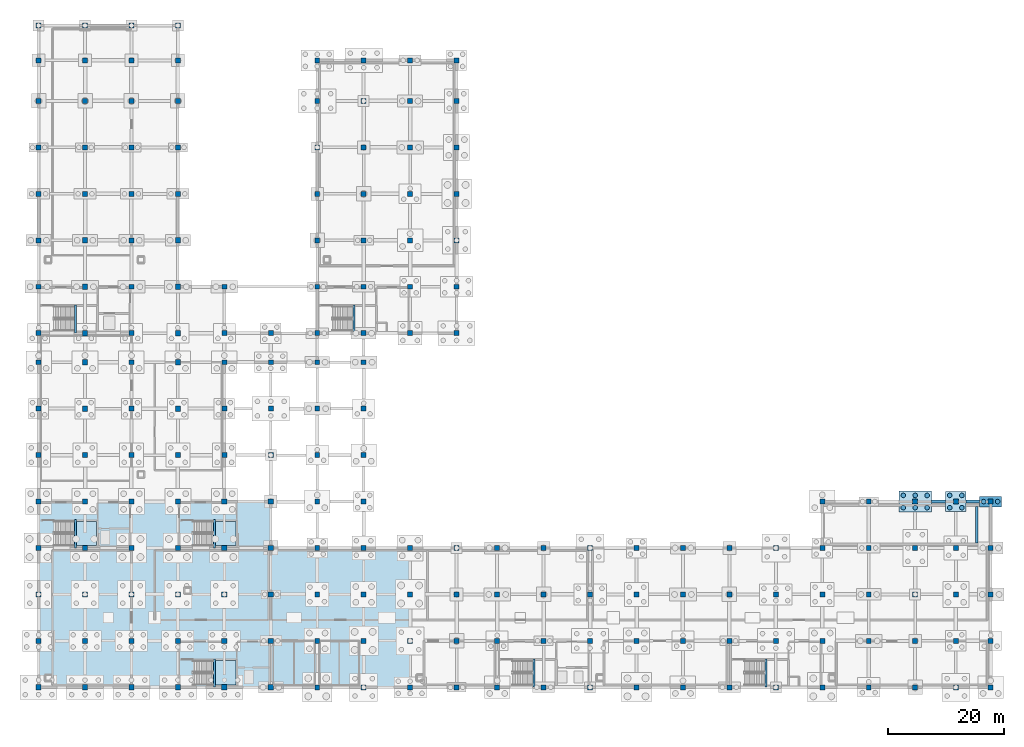
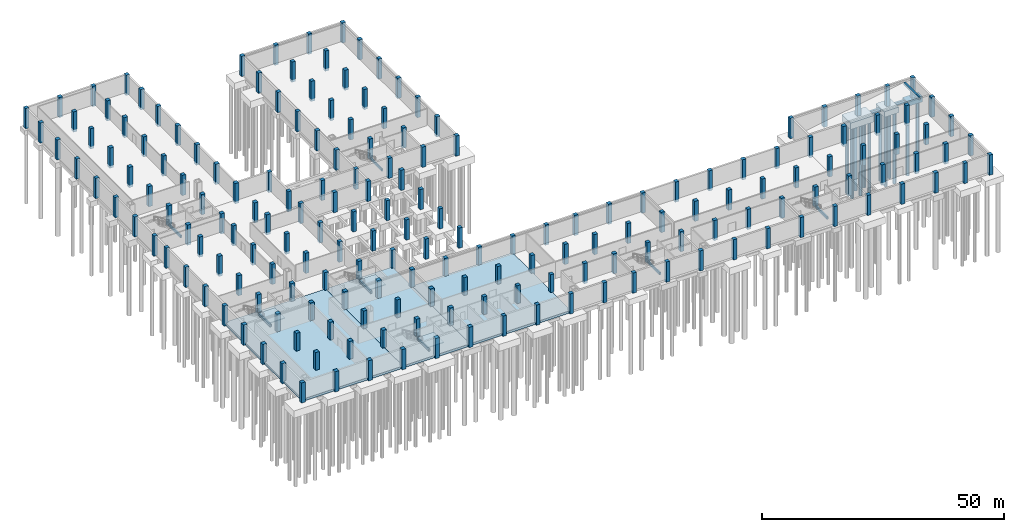
# One storey, part 10 of 26: 188 columns, 12 piles, 8 beams, 6 slabs, 5 footings, 3 elements without a shape of their own.
"""IFC4 building model written with IfcOpenShell, lengths in metres."""

import ifcopenshell
import ifcopenshell.guid

model = None  # the IFC model being written
_history = None  # IfcOwnerHistory: only IFC2X3 demands one
_inside = {}  # id of a spatial element -> (the spatial element, [elements in it])
_under = {}  # id of a project, library or spatial element -> (it, [spatial elements below it])
_declared = {}  # id of a project -> (the project, [libraries it declares])
_typed = {}  # id of a type object -> (the type object, [elements of that type])
_made_of = {}  # id of a material, layer set ... -> (it, [elements and type objects made of it])


def new_model(schema):
    """Start an empty IFC model of exactly this schema.

    Asked for "IFC4X3", IfcOpenShell would pick the latest addendum, in which some entities
    have other attributes; the version numbers below select the first issue.
    IFC2X3 requires an IfcOwnerHistory on every rooted entity: one is made here for all.
    """
    global model, _history
    if schema == "IFC4X3":
        model = ifcopenshell.file(schema_version=(4, 3, 0, 0))
    else:
        model = ifcopenshell.file(schema=schema)
    _inside.clear()
    _under.clear()
    _declared.clear()
    _typed.clear()
    _made_of.clear()
    _history = None
    if model.schema == "IFC2X3":
        org = make("IfcOrganization", Name="unknown")
        user = make(
            "IfcPersonAndOrganization",
            ThePerson=make("IfcPerson", FamilyName="unknown"),
            TheOrganization=org,
        )
        app = make(
            "IfcApplication",
            ApplicationDeveloper=org,
            Version="unknown",
            ApplicationFullName="unknown",
            ApplicationIdentifier="unknown",
        )
        _history = make(
            "IfcOwnerHistory",
            OwningUser=user,
            OwningApplication=app,
            ChangeAction="ADDED",
            CreationDate=0,
        )
    return model


def make(cls, **values):
    """One entity of the class cls with the attributes given. An attribute that is None is left unset."""
    return model.create_entity(
        cls, **{name: value for name, value in values.items() if value is not None}
    )


def rooted(cls, **values):
    """An entity with a GlobalId (a new one), such as an element, a storey or a relation."""
    return make(cls, GlobalId=ifcopenshell.guid.new(), OwnerHistory=_history, **values)


def si_unit(unit_type, name, prefix=None):
    """IfcSIUnit, for example si_unit("LENGTHUNIT", "METRE", prefix="MILLI")."""
    return make("IfcSIUnit", UnitType=unit_type, Prefix=prefix, Name=name)


def assignment(units):
    """IfcUnitAssignment: the units of a project."""
    return None if units is None else make("IfcUnitAssignment", Units=units)


def point(xyz):
    """IfcCartesianPoint."""
    return None if xyz is None else make("IfcCartesianPoint", Coordinates=xyz)


def direction(xyz):
    """IfcDirection."""
    return None if xyz is None else make("IfcDirection", DirectionRatios=xyz)


def frame(location, z_axis=None, x_axis=None):
    """IfcAxis2Placement3D, a coordinate frame: its origin and axes. An axis left out is left unset."""
    return make(
        "IfcAxis2Placement3D",
        Location=point(location),
        Axis=direction(z_axis),
        RefDirection=direction(x_axis),
    )


def frame_2d(location, x_axis=None):
    """IfcAxis2Placement2D, a coordinate frame in the plane: its origin and x axis."""
    return make(
        "IfcAxis2Placement2D", Location=point(location), RefDirection=direction(x_axis)
    )


def origin():
    """The frame at (0, 0, 0) with its axes left unset."""
    return frame((0.0, 0.0, 0.0))


def origin_2d():
    """The frame at (0, 0) in the plane with its x axis left unset."""
    return frame_2d((0.0, 0.0))


def place(relative_to, where):
    """IfcLocalPlacement: puts the frame where relative to a parent placement (None: the world)."""
    return make(
        "IfcLocalPlacement", PlacementRelTo=relative_to, RelativePlacement=where
    )


def context(
    kind, dimensions, precision=None, world=None, true_north=None, identifier=None
):
    """IfcGeometricRepresentationContext, for example the 3D "Model" context."""
    return make(
        "IfcGeometricRepresentationContext",
        ContextIdentifier=identifier,
        ContextType=kind,
        CoordinateSpaceDimension=dimensions,
        Precision=precision,
        WorldCoordinateSystem=world,
        TrueNorth=true_north,
    )


def subcontext(parent, identifier, kind, view, scale=None):
    """IfcGeometricRepresentationSubContext, for example "Body" below "Model"."""
    return make(
        "IfcGeometricRepresentationSubContext",
        ContextIdentifier=identifier,
        ContextType=kind,
        ParentContext=parent,
        TargetScale=scale,
        TargetView=view,
    )


def project(units=None, contexts=None):
    """IfcProject with its units and contexts."""
    return rooted(
        "IfcProject",
        Name="project",
        RepresentationContexts=contexts,
        UnitsInContext=assignment(units),
    )


def spatial(cls, under=None, at=None, **own):
    """A site, building, storey or space (cls), placed at a placement, below another one or the project."""
    s = rooted(cls, ObjectPlacement=at, **own)
    if under is not None:
        _under.setdefault(under.id(), (under, []))[1].append(s)
    return s


def polyline(points):
    """IfcPolyline through the points."""
    return make("IfcPolyline", Points=[point(p) for p in points])


def profile(cls, at=None, kind="AREA", **sizes):
    """A parametric profile (cls). Its sizes go by their IFC names, for example OverallWidth=200.0."""
    return make(cls, ProfileType=kind, Position=at, **sizes)


def rectangle(**sizes):
    """IfcRectangleProfileDef."""
    return profile("IfcRectangleProfileDef", **sizes)


def circle(**sizes):
    """IfcCircleProfileDef."""
    return profile("IfcCircleProfileDef", **sizes)


def outline(outer, holes=None, kind="AREA"):
    """IfcArbitraryClosedProfileDef: a profile drawn as a closed curve; with holes, ...WithVoids."""
    if holes is None:
        return make("IfcArbitraryClosedProfileDef", ProfileType=kind, OuterCurve=outer)
    return make(
        "IfcArbitraryProfileDefWithVoids",
        ProfileType=kind,
        OuterCurve=outer,
        InnerCurves=holes,
    )


def extrude(swept, where, along, depth):
    """IfcExtrudedAreaSolid: the profile swept, set in the frame where, extruded along a direction by depth."""
    return make(
        "IfcExtrudedAreaSolid",
        SweptArea=swept,
        Position=where,
        ExtrudedDirection=direction(along),
        Depth=depth,
    )


def shape(context_of_items, identifier, shape_type, items):
    """IfcShapeRepresentation: the items that make up one representation, for example the "Body"."""
    return make(
        "IfcShapeRepresentation",
        ContextOfItems=context_of_items,
        RepresentationIdentifier=identifier,
        RepresentationType=shape_type,
        Items=items,
    )


def material(Name=None, Category=None):
    """IfcMaterial."""
    return make("IfcMaterial", Name=Name, Category=Category)


def layer(
    of_material, thickness, ventilated=None, Name=None, Category=None, Priority=None
):
    """IfcMaterialLayer: one layer of a wall or slab, of a material (None: an air gap)."""
    return make(
        "IfcMaterialLayer",
        Material=of_material,
        LayerThickness=thickness,
        IsVentilated=ventilated,
        Name=Name,
        Category=Category,
        Priority=Priority,
    )


def layer_set(layers, Name=None):
    """IfcMaterialLayerSet."""
    return make("IfcMaterialLayerSet", MaterialLayers=layers, LayerSetName=Name)


def material_profile(
    of_material, cross_section, Name=None, Category=None, Priority=None
):
    """IfcMaterialProfile: a cross section and its material."""
    return make(
        "IfcMaterialProfile",
        Name=Name,
        Material=of_material,
        Profile=cross_section,
        Priority=Priority,
        Category=Category,
    )


def profile_set(profiles, Name=None, composite=None):
    """IfcMaterialProfileSet."""
    return make(
        "IfcMaterialProfileSet",
        Name=Name,
        MaterialProfiles=profiles,
        CompositeProfile=composite,
    )


def made_of(thing, what):
    """Note that an element or type object is made of a material, layer set ...; save() writes the relation."""
    if what is not None:
        _made_of.setdefault(what.id(), (what, []))[1].append(thing)
    return thing


def type_object(cls, material=None, **own):
    """A type object (cls), such as IfcWallType, which elements share."""
    return made_of(rooted(cls, **own), material)


def element(
    cls,
    number,
    at=None,
    inside=None,
    cuts=None,
    type_object=None,
    material=None,
    context=None,
    identifier="Body",
    shape_type=None,
    held_by="IfcProductDefinitionShape",
    body=None,
    shapes=None,
    **own,
):
    """One element of the class cls, such as IfcWall. Its Tag is "e" and its number.

    at: its placement. inside: the storey or other place that contains it. cuts: it is an
    opening in that element (IfcRelVoidsElement). A single representation is given by context,
    identifier, shape_type and body (its items); several are given by shapes. held_by: the class
    of the entity that holds the representations. save() writes the other relations.
    """
    e = rooted(cls, Tag="e%d" % number, ObjectPlacement=at, **own)
    if body is not None:
        shapes = [shape(context, identifier, shape_type, body)]
    if shapes is not None:
        e.Representation = make(held_by, Representations=shapes)
    if inside is not None:
        _inside.setdefault(inside.id(), (inside, []))[1].append(e)
    if cuts is not None:
        rooted(
            "IfcRelVoidsElement", RelatingBuildingElement=cuts, RelatedOpeningElement=e
        )
    if type_object is not None:
        _typed.setdefault(type_object.id(), (type_object, []))[1].append(e)
    return made_of(e, material)


def aggregate(whole, parts):
    """IfcRelAggregates: a whole, such as a stair, and the parts it consists of."""
    return rooted("IfcRelAggregates", RelatingObject=whole, RelatedObjects=parts)


def save(model, path):
    """Write the relations noted so far, then the file.

    IfcRelAggregates (storeys below a building ...), IfcRelContainedInSpatialStructure (elements
    in a storey), IfcRelDefinesByType, IfcRelAssociatesMaterial and IfcRelDeclares: one each for
    every whole, place, type object, material and project.
    """
    for whole, parts in _under.values():
        aggregate(whole, parts)
    for where, things in _inside.values():
        rooted(
            "IfcRelContainedInSpatialStructure",
            RelatedElements=things,
            RelatingStructure=where,
        )
    for kind, things in _typed.values():
        rooted("IfcRelDefinesByType", RelatedObjects=things, RelatingType=kind)
    for what, things in _made_of.values():
        rooted("IfcRelAssociatesMaterial", RelatedObjects=things, RelatingMaterial=what)
    for by, libraries in _declared.values():
        rooted("IfcRelDeclares", RelatingContext=by, RelatedDefinitions=libraries)
    model.write(path)


model = new_model("IFC4")

# Units and contexts
model_context = context("Model", 3, precision=1e-05, world=origin(), true_north=direction((0.0, 1.0)))
body_context = subcontext(model_context, "Body", "Model", "MODEL_VIEW")
ifc_project = project(units=[si_unit("LENGTHUNIT", "METRE"), si_unit("AREAUNIT", "SQUARE_METRE"), si_unit("VOLUMEUNIT", "CUBIC_METRE"), si_unit("PLANEANGLEUNIT", "RADIAN"), si_unit("MASSUNIT", "GRAM", prefix="KILO")], contexts=[model_context])

# Site, building, storey
site_placement = place(None, origin())
site = spatial("IfcSite", under=ifc_project, at=site_placement, CompositionType="ELEMENT")
building_placement = place(site_placement, origin())
building = spatial("IfcBuilding", under=site, at=building_placement, Name="Qorikala Patio Media Centre", CompositionType="ELEMENT")
storey_placement = place(building_placement, frame((0.0, 0.0, -4.5)))
storey = spatial("IfcBuildingStorey", under=building, at=storey_placement, Name="B1", CompositionType="ELEMENT", Elevation=-4.5)

# Footings
ifc_material_1 = material(Name="Concrete C30/37", Category="concrete")
ifc_material_profile_1 = material_profile(ifc_material_1, rectangle(XDim=0.449951171875, YDim=0.699951171875, at=origin_2d()), Name="RC 450x700")
ifc_profile_set_1 = profile_set([ifc_material_profile_1], Name="Concrete C30/37")
footing_type_1 = type_object("IfcFootingType", Name="GB-450X700", PredefinedType="FOOTING_BEAM", material=ifc_profile_set_1)
footing_1_placement = place(storey_placement, frame((162.75, 35.0, -0.949951171875), z_axis=(1.0, 0.0, 0.0), x_axis=(0.0, 1.0, 0.0)))
element("IfcFooting", 1, at=footing_1_placement, inside=storey, type_object=footing_type_1, Name="Ground Tie Beam X-095", PredefinedType="FOOTING_BEAM", context=body_context, shape_type="SweptSolid", body=[
    extrude(rectangle(XDim=0.449951171875, YDim=0.699951171875, at=origin_2d()), origin(), (0.0, 0.0, 1.0), 2.35009765625),
])
ifc_material_profile_2 = material_profile(ifc_material_1, rectangle(XDim=0.5, YDim=0.800048828125, at=origin_2d()), Name="RC 500x800")
ifc_profile_set_2 = profile_set([ifc_material_profile_2], Name="Concrete C30/37")
footing_type_2 = type_object("IfcFootingType", Name="GB-500X800", PredefinedType="FOOTING_BEAM", material=ifc_profile_set_2)
footing_2_placement = place(storey_placement, frame((156.800048828125, 35.0, -1.0), z_axis=(1.0, 0.0, 0.0), x_axis=(0.0, 1.0, 0.0)))
element("IfcFooting", 2, at=footing_2_placement, inside=storey, type_object=footing_type_2, Name="Ground Tie Beam X-094", PredefinedType="FOOTING_BEAM", context=body_context, shape_type="SweptSolid", body=[
    extrude(rectangle(XDim=0.5, YDim=0.800048828125, at=origin_2d()), origin(), (0.0, 0.0, 1.0), 2.449951171875),
])
ifc_layer_1 = layer(ifc_material_1, 1.35009765625)
ifc_layer_set_1 = layer_set([ifc_layer_1], Name="Concrete C30/37")
footing_type_3 = type_object("IfcFootingType", Name="PC-2B", PredefinedType="PILE_CAP", material=ifc_layer_set_1)
footing_3_placement = place(storey_placement, frame((167.0, 35.0, -1.949951171875), z_axis=(0.0, 0.0, 1.0), x_axis=(1.0, 0.0, 0.0)))
element("IfcFooting", 3, at=footing_3_placement, inside=storey, type_object=footing_type_3, Name="Pile Cap PC-2B at (167.0,35.0)", PredefinedType="PILE_CAP", context=body_context, shape_type="SweptSolid", body=[
    extrude(rectangle(XDim=3.800048828125, YDim=1.800048828125, at=origin_2d()), origin(), (0.0, 0.0, 1.0), 1.35009765625),
])
ifc_layer_2 = layer(ifc_material_1, 1.39990234375)
ifc_layer_set_2 = layer_set([ifc_layer_2], Name="Concrete C30/37")
footing_type_4 = type_object("IfcFootingType", Name="PC-4A", PredefinedType="PILE_CAP", material=ifc_layer_set_2)
footing_4_placement = place(storey_placement, frame((161.0, 35.0, -2.0), z_axis=(0.0, 0.0, 1.0), x_axis=(1.0, 0.0, 0.0)))
element("IfcFooting", 4, at=footing_4_placement, inside=storey, type_object=footing_type_4, Name="Pile Cap PC-4A at (161.0,35.0)", PredefinedType="PILE_CAP", context=body_context, shape_type="SweptSolid", body=[
    extrude(rectangle(XDim=3.5, YDim=3.5, at=origin_2d()), origin(), (0.0, 0.0, 1.0), 1.39990234375),
])
ifc_layer_3 = layer(ifc_material_1, 1.64990234375)
ifc_layer_set_3 = layer_set([ifc_layer_3], Name="Concrete C30/37")
footing_type_5 = type_object("IfcFootingType", Name="PC-6A", PredefinedType="PILE_CAP", material=ifc_layer_set_3)
footing_5_placement = place(storey_placement, frame((154.0, 35.0, -2.25), z_axis=(0.0, 0.0, 1.0), x_axis=(1.0, 0.0, 0.0)))
element("IfcFooting", 5, at=footing_5_placement, inside=storey, type_object=footing_type_5, Name="Pile Cap PC-6A at (154.0,35.0)", PredefinedType="PILE_CAP", context=body_context, shape_type="SweptSolid", body=[
    extrude(rectangle(XDim=5.60009765625, YDim=3.60009765625, at=origin_2d()), origin(), (0.0, 0.0, 1.0), 1.64990234375),
])

# Piles
ifc_material_profile_3 = material_profile(ifc_material_1, circle(Radius=0.39990234375, at=origin_2d()), Name="BORED PILE 800")
ifc_profile_set_3 = profile_set([ifc_material_profile_3], Name="Concrete C30/37")
pile_type = type_object("IfcPileType", Name="PILE-800", PredefinedType="BORED", material=ifc_profile_set_3)
for number, where, z_axis, x_axis, name in (
    (6, (151.949951171875, 33.949951171875, -2.14990234375), (0.0, 0.0, -1.0), (1.0, 0.0, 0.0), "Bored Pile 0556"),
    (7, (154.0, 33.949951171875, -2.14990234375), (0.0, 0.0, -1.0), (1.0, 0.0, 0.0), "Bored Pile 0557"),
    (8, (156.050048828125, 33.949951171875, -2.14990234375), (0.0, 0.0, -1.0), (1.0, 0.0, 0.0), "Bored Pile 0558"),
    (9, (151.949951171875, 36.050048828125, -2.14990234375), (0.0, 0.0, -1.0), (1.0, 0.0, 0.0), "Bored Pile 0559"),
    (10, (154.0, 36.050048828125, -2.14990234375), (0.0, 0.0, -1.0), (1.0, 0.0, 0.0), "Bored Pile 0560"),
    (11, (156.050048828125, 36.050048828125, -2.14990234375), (0.0, 0.0, -1.0), (1.0, 0.0, 0.0), "Bored Pile 0561"),
    (12, (159.949951171875, 33.949951171875, -1.89990234375), (0.0, 0.0, -1.0), (1.0, 0.0, 0.0), "Bored Pile 0579"),
    (13, (162.050048828125, 33.949951171875, -1.89990234375), (0.0, 0.0, -1.0), (1.0, 0.0, 0.0), "Bored Pile 0580"),
    (14, (159.949951171875, 36.050048828125, -1.89990234375), (0.0, 0.0, -1.0), (1.0, 0.0, 0.0), "Bored Pile 0581"),
    (15, (162.050048828125, 36.050048828125, -1.89990234375), (0.0, 0.0, -1.0), (1.0, 0.0, 0.0), "Bored Pile 0582"),
    (16, (165.800048828125, 35.0, -1.85009765625), (0.0, 0.0, -1.0), (1.0, 0.0, 0.0), "Bored Pile 0593"),
    (17, (168.199951171875, 35.0, -1.85009765625), (0.0, 0.0, -1.0), (1.0, 0.0, 0.0), "Bored Pile 0594"),
):
    element("IfcPile", number, at=place(storey_placement, frame(where, z_axis=z_axis, x_axis=x_axis)), inside=storey, type_object=pile_type, Name=name, PredefinedType="BORED", context=body_context, shape_type="SweptSolid", body=[
        extrude(circle(Radius=0.39990234375, at=origin_2d()), origin(), (0.0, 0.0, 1.0), 18.0),
    ])

# Columns
ifc_material_2 = material(Name="Concrete C35/45", Category="concrete")
ifc_material_profile_4 = material_profile(ifc_material_2, rectangle(XDim=0.85009765625, YDim=0.85009765625, at=origin_2d()), Name="RC 850x850")
ifc_profile_set_4 = profile_set([ifc_material_profile_4], Name="Concrete C35/45")
column_type_1 = type_object("IfcColumnType", Name="RC-COL-850-INT", PredefinedType="COLUMN", material=ifc_profile_set_4)
for number, where, z_axis, x_axis, name in (
    (18, (3.0, 43.0, -0.60009765625), (0.0, 0.0, 1.0), (1.0, 0.0, 0.0), "B1 Column (3,43)"),
    (19, (3.0, 51.0, -0.60009765625), (0.0, 0.0, 1.0), (1.0, 0.0, 0.0), "B1 Column (3,51)"),
    (20, (3.0, 59.0, -0.60009765625), (0.0, 0.0, 1.0), (1.0, 0.0, 0.0), "B1 Column (3,59)"),
    (21, (3.0, 64.0, -0.60009765625), (0.0, 0.0, 1.0), (1.0, 0.0, 0.0), "B1 Column (3,64)"),
    (22, (3.0, 72.0, -0.60009765625), (0.0, 0.0, 1.0), (1.0, 0.0, 0.0), "B1 Column (3,72)"),
    (23, (3.0, 80.0, -0.60009765625), (0.0, 0.0, 1.0), (1.0, 0.0, 0.0), "B1 Column (3,80)"),
    (24, (3.0, 88.0, -0.60009765625), (0.0, 0.0, 1.0), (1.0, 0.0, 0.0), "B1 Column (3,88)"),
    (25, (3.0, 96.0, -0.60009765625), (0.0, 0.0, 1.0), (1.0, 0.0, 0.0), "B1 Column (3,96)"),
    (26, (3.0, 104.0, -0.60009765625), (0.0, 0.0, 1.0), (1.0, 0.0, 0.0), "B1 Column (3,104)"),
    (27, (3.0, 111.0, -0.60009765625), (0.0, 0.0, 1.0), (1.0, 0.0, 0.0), "B1 Column (3,111)"),
    (28, (3.0, 117.0, -0.60009765625), (0.0, 0.0, 1.0), (1.0, 0.0, 0.0), "B1 Column (3,117)"),
    (29, (11.0, 104.0, -0.60009765625), (0.0, 0.0, 1.0), (1.0, 0.0, 0.0), "B1 Column (11,104)"),
    (30, (11.0, 111.0, -0.60009765625), (0.0, 0.0, 1.0), (1.0, 0.0, 0.0), "B1 Column (11,111)"),
    (31, (11.0, 117.0, -0.60009765625), (0.0, 0.0, 1.0), (1.0, 0.0, 0.0), "B1 Column (11,117)"),
    (32, (19.0, 43.0, -0.60009765625), (0.0, 0.0, 1.0), (1.0, 0.0, 0.0), "B1 Column (19,43)"),
    (33, (19.0, 51.0, -0.60009765625), (0.0, 0.0, 1.0), (1.0, 0.0, 0.0), "B1 Column (19,51)"),
    (34, (19.0, 59.0, -0.60009765625), (0.0, 0.0, 1.0), (1.0, 0.0, 0.0), "B1 Column (19,59)"),
    (35, (19.0, 64.0, -0.60009765625), (0.0, 0.0, 1.0), (1.0, 0.0, 0.0), "B1 Column (19,64)"),
    (36, (19.0, 72.0, -0.60009765625), (0.0, 0.0, 1.0), (1.0, 0.0, 0.0), "B1 Column (19,72)"),
    (37, (19.0, 80.0, -0.60009765625), (0.0, 0.0, 1.0), (1.0, 0.0, 0.0), "B1 Column (19,80)"),
    (38, (19.0, 88.0, -0.60009765625), (0.0, 0.0, 1.0), (1.0, 0.0, 0.0), "B1 Column (19,88)"),
    (39, (19.0, 96.0, -0.60009765625), (0.0, 0.0, 1.0), (1.0, 0.0, 0.0), "B1 Column (19,96)"),
    (40, (19.0, 104.0, -0.60009765625), (0.0, 0.0, 1.0), (1.0, 0.0, 0.0), "B1 Column (19,104)"),
    (41, (19.0, 111.0, -0.60009765625), (0.0, 0.0, 1.0), (1.0, 0.0, 0.0), "B1 Column (19,111)"),
    (42, (19.0, 117.0, -0.60009765625), (0.0, 0.0, 1.0), (1.0, 0.0, 0.0), "B1 Column (19,117)"),
    (43, (27.0, 104.0, -0.60009765625), (0.0, 0.0, 1.0), (1.0, 0.0, 0.0), "B1 Column (27,104)"),
    (44, (27.0, 111.0, -0.60009765625), (0.0, 0.0, 1.0), (1.0, 0.0, 0.0), "B1 Column (27,111)"),
    (45, (27.0, 117.0, -0.60009765625), (0.0, 0.0, 1.0), (1.0, 0.0, 0.0), "B1 Column (27,117)"),
    (46, (35.0, 43.0, -0.60009765625), (0.0, 0.0, 1.0), (1.0, 0.0, 0.0), "B1 Column (35,43)"),
    (47, (35.0, 51.0, -0.60009765625), (0.0, 0.0, 1.0), (1.0, 0.0, 0.0), "B1 Column (35,51)"),
    (48, (35.0, 59.0, -0.60009765625), (0.0, 0.0, 1.0), (1.0, 0.0, 0.0), "B1 Column (35,59)"),
    (49, (35.0, 64.0, -0.60009765625), (0.0, 0.0, 1.0), (1.0, 0.0, 0.0), "B1 Column (35,64)"),
    (50, (35.0, 72.0, -0.60009765625), (0.0, 0.0, 1.0), (1.0, 0.0, 0.0), "B1 Column (35,72)"),
    (51, (43.0, 43.0, -0.60009765625), (0.0, 0.0, 1.0), (1.0, 0.0, 0.0), "B1 Column (43,43)"),
    (52, (43.0, 51.0, -0.60009765625), (0.0, 0.0, 1.0), (1.0, 0.0, 0.0), "B1 Column (43,51)"),
    (53, (43.0, 59.0, -0.60009765625), (0.0, 0.0, 1.0), (1.0, 0.0, 0.0), "B1 Column (43,59)"),
    (54, (43.0, 64.0, -0.60009765625), (0.0, 0.0, 1.0), (1.0, 0.0, 0.0), "B1 Column (43,64)"),
    (55, (51.0, 3.0, -0.60009765625), (0.0, 0.0, 1.0), (1.0, 0.0, 0.0), "B1 Column (51,3)"),
    (56, (51.0, 11.0, -0.60009765625), (0.0, 0.0, 1.0), (1.0, 0.0, 0.0), "B1 Column (51,11)"),
    (57, (51.0, 19.0, -0.60009765625), (0.0, 0.0, 1.0), (1.0, 0.0, 0.0), "B1 Column (51,19)"),
    (58, (51.0, 27.0, -0.60009765625), (0.0, 0.0, 1.0), (1.0, 0.0, 0.0), "B1 Column (51,27)"),
    (59, (51.0, 35.0, -0.60009765625), (0.0, 0.0, 1.0), (1.0, 0.0, 0.0), "B1 Column (51,35)"),
    (60, (51.0, 43.0, -0.60009765625), (0.0, 0.0, 1.0), (1.0, 0.0, 0.0), "B1 Column (51,43)"),
    (61, (51.0, 51.0, -0.60009765625), (0.0, 0.0, 1.0), (1.0, 0.0, 0.0), "B1 Column (51,51)"),
    (62, (51.0, 59.0, -0.60009765625), (0.0, 0.0, 1.0), (1.0, 0.0, 0.0), "B1 Column (51,59)"),
    (63, (51.0, 64.0, -0.60009765625), (0.0, 0.0, 1.0), (1.0, 0.0, 0.0), "B1 Column (51,64)"),
    (64, (51.0, 72.0, -0.60009765625), (0.0, 0.0, 1.0), (1.0, 0.0, 0.0), "B1 Column (51,72)"),
    (65, (51.0, 80.0, -0.60009765625), (0.0, 0.0, 1.0), (1.0, 0.0, 0.0), "B1 Column (51,80)"),
    (66, (51.0, 88.0, -0.60009765625), (0.0, 0.0, 1.0), (1.0, 0.0, 0.0), "B1 Column (51,88)"),
    (67, (51.0, 96.0, -0.60009765625), (0.0, 0.0, 1.0), (1.0, 0.0, 0.0), "B1 Column (51,96)"),
    (68, (51.0, 104.0, -0.60009765625), (0.0, 0.0, 1.0), (1.0, 0.0, 0.0), "B1 Column (51,104)"),
    (69, (51.0, 111.0, -0.60009765625), (0.0, 0.0, 1.0), (1.0, 0.0, 0.0), "B1 Column (51,111)"),
    (70, (59.0, 3.0, -0.60009765625), (0.0, 0.0, 1.0), (1.0, 0.0, 0.0), "B1 Column (59,3)"),
    (71, (59.0, 11.0, -0.60009765625), (0.0, 0.0, 1.0), (1.0, 0.0, 0.0), "B1 Column (59,11)"),
    (72, (59.0, 19.0, -0.60009765625), (0.0, 0.0, 1.0), (1.0, 0.0, 0.0), "B1 Column (59,19)"),
    (73, (59.0, 27.0, -0.60009765625), (0.0, 0.0, 1.0), (1.0, 0.0, 0.0), "B1 Column (59,27)"),
    (74, (59.0, 35.0, -0.60009765625), (0.0, 0.0, 1.0), (1.0, 0.0, 0.0), "B1 Column (59,35)"),
    (75, (59.0, 43.0, -0.60009765625), (0.0, 0.0, 1.0), (1.0, 0.0, 0.0), "B1 Column (59,43)"),
    (76, (59.0, 51.0, -0.60009765625), (0.0, 0.0, 1.0), (1.0, 0.0, 0.0), "B1 Column (59,51)"),
    (77, (59.0, 59.0, -0.60009765625), (0.0, 0.0, 1.0), (1.0, 0.0, 0.0), "B1 Column (59,59)"),
    (78, (59.0, 64.0, -0.60009765625), (0.0, 0.0, 1.0), (1.0, 0.0, 0.0), "B1 Column (59,64)"),
    (79, (59.0, 72.0, -0.60009765625), (0.0, 0.0, 1.0), (1.0, 0.0, 0.0), "B1 Column (59,72)"),
    (80, (59.0, 80.0, -0.60009765625), (0.0, 0.0, 1.0), (1.0, 0.0, 0.0), "B1 Column (59,80)"),
    (81, (59.0, 88.0, -0.60009765625), (0.0, 0.0, 1.0), (1.0, 0.0, 0.0), "B1 Column (59,88)"),
    (82, (59.0, 96.0, -0.60009765625), (0.0, 0.0, 1.0), (1.0, 0.0, 0.0), "B1 Column (59,96)"),
    (83, (59.0, 104.0, -0.60009765625), (0.0, 0.0, 1.0), (1.0, 0.0, 0.0), "B1 Column (59,104)"),
    (84, (59.0, 111.0, -0.60009765625), (0.0, 0.0, 1.0), (1.0, 0.0, 0.0), "B1 Column (59,111)"),
    (85, (67.0, 3.0, -0.60009765625), (0.0, 0.0, 1.0), (1.0, 0.0, 0.0), "B1 Column (67,3)"),
    (86, (67.0, 11.0, -0.60009765625), (0.0, 0.0, 1.0), (1.0, 0.0, 0.0), "B1 Column (67,11)"),
    (87, (67.0, 19.0, -0.60009765625), (0.0, 0.0, 1.0), (1.0, 0.0, 0.0), "B1 Column (67,19)"),
    (88, (67.0, 27.0, -0.60009765625), (0.0, 0.0, 1.0), (1.0, 0.0, 0.0), "B1 Column (67,27)"),
    (89, (67.0, 64.0, -0.60009765625), (0.0, 0.0, 1.0), (1.0, 0.0, 0.0), "B1 Column (67,64)"),
    (90, (67.0, 72.0, -0.60009765625), (0.0, 0.0, 1.0), (1.0, 0.0, 0.0), "B1 Column (67,72)"),
    (91, (67.0, 80.0, -0.60009765625), (0.0, 0.0, 1.0), (1.0, 0.0, 0.0), "B1 Column (67,80)"),
    (92, (67.0, 88.0, -0.60009765625), (0.0, 0.0, 1.0), (1.0, 0.0, 0.0), "B1 Column (67,88)"),
    (93, (67.0, 96.0, -0.60009765625), (0.0, 0.0, 1.0), (1.0, 0.0, 0.0), "B1 Column (67,96)"),
    (94, (67.0, 104.0, -0.60009765625), (0.0, 0.0, 1.0), (1.0, 0.0, 0.0), "B1 Column (67,104)"),
    (95, (67.0, 111.0, -0.60009765625), (0.0, 0.0, 1.0), (1.0, 0.0, 0.0), "B1 Column (67,111)"),
    (96, (75.0, 3.0, -0.60009765625), (0.0, 0.0, 1.0), (1.0, 0.0, 0.0), "B1 Column (75,3)"),
    (97, (75.0, 11.0, -0.60009765625), (0.0, 0.0, 1.0), (1.0, 0.0, 0.0), "B1 Column (75,11)"),
    (98, (75.0, 19.0, -0.60009765625), (0.0, 0.0, 1.0), (1.0, 0.0, 0.0), "B1 Column (75,19)"),
    (99, (75.0, 27.0, -0.60009765625), (0.0, 0.0, 1.0), (1.0, 0.0, 0.0), "B1 Column (75,27)"),
    (100, (75.0, 64.0, -0.60009765625), (0.0, 0.0, 1.0), (1.0, 0.0, 0.0), "B1 Column (75,64)"),
    (101, (75.0, 72.0, -0.60009765625), (0.0, 0.0, 1.0), (1.0, 0.0, 0.0), "B1 Column (75,72)"),
    (102, (75.0, 80.0, -0.60009765625), (0.0, 0.0, 1.0), (1.0, 0.0, 0.0), "B1 Column (75,80)"),
    (103, (75.0, 88.0, -0.60009765625), (0.0, 0.0, 1.0), (1.0, 0.0, 0.0), "B1 Column (75,88)"),
    (104, (75.0, 96.0, -0.60009765625), (0.0, 0.0, 1.0), (1.0, 0.0, 0.0), "B1 Column (75,96)"),
    (105, (75.0, 104.0, -0.60009765625), (0.0, 0.0, 1.0), (1.0, 0.0, 0.0), "B1 Column (75,104)"),
    (106, (75.0, 111.0, -0.60009765625), (0.0, 0.0, 1.0), (1.0, 0.0, 0.0), "B1 Column (75,111)"),
    (107, (82.0, 3.0, -0.60009765625), (0.0, 0.0, 1.0), (1.0, 0.0, 0.0), "B1 Column (82,3)"),
    (108, (82.0, 11.0, -0.60009765625), (0.0, 0.0, 1.0), (1.0, 0.0, 0.0), "B1 Column (82,11)"),
    (109, (82.0, 19.0, -0.60009765625), (0.0, 0.0, 1.0), (1.0, 0.0, 0.0), "B1 Column (82,19)"),
    (110, (82.0, 27.0, -0.60009765625), (0.0, 0.0, 1.0), (1.0, 0.0, 0.0), "B1 Column (82,27)"),
    (111, (90.0, 3.0, -0.60009765625), (0.0, 0.0, 1.0), (1.0, 0.0, 0.0), "B1 Column (90,3)"),
    (112, (90.0, 11.0, -0.60009765625), (0.0, 0.0, 1.0), (1.0, 0.0, 0.0), "B1 Column (90,11)"),
    (113, (90.0, 19.0, -0.60009765625), (0.0, 0.0, 1.0), (1.0, 0.0, 0.0), "B1 Column (90,19)"),
    (114, (90.0, 27.0, -0.60009765625), (0.0, 0.0, 1.0), (1.0, 0.0, 0.0), "B1 Column (90,27)"),
    (115, (98.0, 3.0, -0.60009765625), (0.0, 0.0, 1.0), (1.0, 0.0, 0.0), "B1 Column (98,3)"),
    (116, (98.0, 11.0, -0.60009765625), (0.0, 0.0, 1.0), (1.0, 0.0, 0.0), "B1 Column (98,11)"),
    (117, (98.0, 19.0, -0.60009765625), (0.0, 0.0, 1.0), (1.0, 0.0, 0.0), "B1 Column (98,19)"),
    (118, (98.0, 27.0, -0.60009765625), (0.0, 0.0, 1.0), (1.0, 0.0, 0.0), "B1 Column (98,27)"),
    (119, (106.0, 3.0, -0.60009765625), (0.0, 0.0, 1.0), (1.0, 0.0, 0.0), "B1 Column (106,3)"),
    (120, (106.0, 11.0, -0.60009765625), (0.0, 0.0, 1.0), (1.0, 0.0, 0.0), "B1 Column (106,11)"),
    (121, (106.0, 19.0, -0.60009765625), (0.0, 0.0, 1.0), (1.0, 0.0, 0.0), "B1 Column (106,19)"),
    (122, (106.0, 27.0, -0.60009765625), (0.0, 0.0, 1.0), (1.0, 0.0, 0.0), "B1 Column (106,27)"),
    (123, (114.0, 3.0, -0.60009765625), (0.0, 0.0, 1.0), (1.0, 0.0, 0.0), "B1 Column (114,3)"),
    (124, (114.0, 11.0, -0.60009765625), (0.0, 0.0, 1.0), (1.0, 0.0, 0.0), "B1 Column (114,11)"),
    (125, (114.0, 19.0, -0.60009765625), (0.0, 0.0, 1.0), (1.0, 0.0, 0.0), "B1 Column (114,19)"),
    (126, (114.0, 27.0, -0.60009765625), (0.0, 0.0, 1.0), (1.0, 0.0, 0.0), "B1 Column (114,27)"),
    (127, (122.0, 3.0, -0.60009765625), (0.0, 0.0, 1.0), (1.0, 0.0, 0.0), "B1 Column (122,3)"),
    (128, (122.0, 11.0, -0.60009765625), (0.0, 0.0, 1.0), (1.0, 0.0, 0.0), "B1 Column (122,11)"),
    (129, (122.0, 19.0, -0.60009765625), (0.0, 0.0, 1.0), (1.0, 0.0, 0.0), "B1 Column (122,19)"),
    (130, (122.0, 27.0, -0.60009765625), (0.0, 0.0, 1.0), (1.0, 0.0, 0.0), "B1 Column (122,27)"),
    (131, (130.0, 3.0, -0.60009765625), (0.0, 0.0, 1.0), (1.0, 0.0, 0.0), "B1 Column (130,3)"),
    (132, (130.0, 11.0, -0.60009765625), (0.0, 0.0, 1.0), (1.0, 0.0, 0.0), "B1 Column (130,11)"),
    (133, (130.0, 19.0, -0.60009765625), (0.0, 0.0, 1.0), (1.0, 0.0, 0.0), "B1 Column (130,19)"),
    (134, (130.0, 27.0, -0.60009765625), (0.0, 0.0, 1.0), (1.0, 0.0, 0.0), "B1 Column (130,27)"),
    (135, (138.0, 3.0, -0.60009765625), (0.0, 0.0, 1.0), (1.0, 0.0, 0.0), "B1 Column (138,3)"),
    (136, (138.0, 11.0, -0.60009765625), (0.0, 0.0, 1.0), (1.0, 0.0, 0.0), "B1 Column (138,11)"),
    (137, (138.0, 19.0, -0.60009765625), (0.0, 0.0, 1.0), (1.0, 0.0, 0.0), "B1 Column (138,19)"),
    (138, (138.0, 27.0, -0.60009765625), (0.0, 0.0, 1.0), (1.0, 0.0, 0.0), "B1 Column (138,27)"),
    (139, (138.0, 35.0, -0.60009765625), (0.0, 0.0, 1.0), (1.0, 0.0, 0.0), "B1 Column (138,35)"),
    (140, (146.0, 3.0, -0.60009765625), (0.0, 0.0, 1.0), (1.0, 0.0, 0.0), "B1 Column (146,3)"),
    (141, (146.0, 11.0, -0.60009765625), (0.0, 0.0, 1.0), (1.0, 0.0, 0.0), "B1 Column (146,11)"),
    (142, (146.0, 19.0, -0.60009765625), (0.0, 0.0, 1.0), (1.0, 0.0, 0.0), "B1 Column (146,19)"),
    (143, (146.0, 27.0, -0.60009765625), (0.0, 0.0, 1.0), (1.0, 0.0, 0.0), "B1 Column (146,27)"),
    (144, (146.0, 35.0, -0.60009765625), (0.0, 0.0, 1.0), (1.0, 0.0, 0.0), "B1 Column (146,35)"),
    (145, (154.0, 3.0, -0.60009765625), (0.0, 0.0, 1.0), (1.0, 0.0, 0.0), "B1 Column (154,3)"),
    (146, (154.0, 11.0, -0.60009765625), (0.0, 0.0, 1.0), (1.0, 0.0, 0.0), "B1 Column (154,11)"),
    (147, (154.0, 19.0, -0.60009765625), (0.0, 0.0, 1.0), (1.0, 0.0, 0.0), "B1 Column (154,19)"),
    (148, (154.0, 27.0, -0.60009765625), (0.0, 0.0, 1.0), (1.0, 0.0, 0.0), "B1 Column (154,27)"),
    (149, (154.0, 35.0, -0.60009765625), (0.0, 0.0, 1.0), (1.0, 0.0, 0.0), "B1 Column (154,35)"),
    (150, (161.0, 3.0, -0.60009765625), (0.0, 0.0, 1.0), (1.0, 0.0, 0.0), "B1 Column (161,3)"),
    (151, (161.0, 11.0, -0.60009765625), (0.0, 0.0, 1.0), (1.0, 0.0, 0.0), "B1 Column (161,11)"),
    (152, (161.0, 19.0, -0.60009765625), (0.0, 0.0, 1.0), (1.0, 0.0, 0.0), "B1 Column (161,19)"),
    (153, (161.0, 27.0, -0.60009765625), (0.0, 0.0, 1.0), (1.0, 0.0, 0.0), "B1 Column (161,27)"),
    (154, (161.0, 35.0, -0.60009765625), (0.0, 0.0, 1.0), (1.0, 0.0, 0.0), "B1 Column (161,35)"),
    (155, (167.0, 3.0, -0.60009765625), (0.0, 0.0, 1.0), (1.0, 0.0, 0.0), "B1 Column (167,3)"),
    (156, (167.0, 11.0, -0.60009765625), (0.0, 0.0, 1.0), (1.0, 0.0, 0.0), "B1 Column (167,11)"),
    (157, (167.0, 19.0, -0.60009765625), (0.0, 0.0, 1.0), (1.0, 0.0, 0.0), "B1 Column (167,19)"),
    (158, (167.0, 27.0, -0.60009765625), (0.0, 0.0, 1.0), (1.0, 0.0, 0.0), "B1 Column (167,27)"),
    (159, (167.0, 35.0, -0.60009765625), (0.0, 0.0, 1.0), (1.0, 0.0, 0.0), "B1 Column (167,35)"),
):
    element("IfcColumn", number, at=place(storey_placement, frame(where, z_axis=z_axis, x_axis=x_axis)), inside=storey, type_object=column_type_1, Name=name, PredefinedType="COLUMN", context=body_context, shape_type="SweptSolid", body=[
        extrude(rectangle(XDim=0.85009765625, YDim=0.85009765625, at=origin_2d()), origin(), (0.0, 0.0, 1.0), 5.10009765625),
    ])
ifc_material_profile_5 = material_profile(ifc_material_2, rectangle(XDim=0.89990234375, YDim=0.89990234375, at=origin_2d()), Name="RC 900x900")
ifc_profile_set_5 = profile_set([ifc_material_profile_5], Name="Concrete C35/45")
column_type_2 = type_object("IfcColumnType", Name="RC-COL-900-INT", PredefinedType="COLUMN", material=ifc_profile_set_5)
for number, where, z_axis, x_axis, name in (
    (160, (3.0, 3.0, -0.60009765625), (0.0, 0.0, 1.0), (1.0, 0.0, 0.0), "B1 Column (3,3)"),
    (161, (3.0, 11.0, -0.60009765625), (0.0, 0.0, 1.0), (1.0, 0.0, 0.0), "B1 Column (3,11)"),
    (162, (3.0, 19.0, -0.60009765625), (0.0, 0.0, 1.0), (1.0, 0.0, 0.0), "B1 Column (3,19)"),
    (163, (3.0, 27.0, -0.60009765625), (0.0, 0.0, 1.0), (1.0, 0.0, 0.0), "B1 Column (3,27)"),
    (164, (3.0, 35.0, -0.60009765625), (0.0, 0.0, 1.0), (1.0, 0.0, 0.0), "B1 Column (3,35)"),
    (165, (11.0, 3.0, -0.60009765625), (0.0, 0.0, 1.0), (1.0, 0.0, 0.0), "B1 Column (11,3)"),
    (166, (11.0, 11.0, -0.60009765625), (0.0, 0.0, 1.0), (1.0, 0.0, 0.0), "B1 Column (11,11)"),
    (167, (11.0, 19.0, -0.60009765625), (0.0, 0.0, 1.0), (1.0, 0.0, 0.0), "B1 Column (11,19)"),
    (168, (11.0, 27.0, -0.60009765625), (0.0, 0.0, 1.0), (1.0, 0.0, 0.0), "B1 Column (11,27)"),
    (169, (11.0, 35.0, -0.60009765625), (0.0, 0.0, 1.0), (1.0, 0.0, 0.0), "B1 Column (11,35)"),
    (170, (11.0, 43.0, -0.60009765625), (0.0, 0.0, 1.0), (1.0, 0.0, 0.0), "B1 Column (11,43)"),
    (171, (11.0, 51.0, -0.60009765625), (0.0, 0.0, 1.0), (1.0, 0.0, 0.0), "B1 Column (11,51)"),
    (172, (11.0, 59.0, -0.60009765625), (0.0, 0.0, 1.0), (1.0, 0.0, 0.0), "B1 Column (11,59)"),
    (173, (11.0, 64.0, -0.60009765625), (0.0, 0.0, 1.0), (1.0, 0.0, 0.0), "B1 Column (11,64)"),
    (174, (11.0, 72.0, -0.60009765625), (0.0, 0.0, 1.0), (1.0, 0.0, 0.0), "B1 Column (11,72)"),
    (175, (11.0, 80.0, -0.60009765625), (0.0, 0.0, 1.0), (1.0, 0.0, 0.0), "B1 Column (11,80)"),
    (176, (11.0, 88.0, -0.60009765625), (0.0, 0.0, 1.0), (1.0, 0.0, 0.0), "B1 Column (11,88)"),
    (177, (11.0, 96.0, -0.60009765625), (0.0, 0.0, 1.0), (1.0, 0.0, 0.0), "B1 Column (11,96)"),
    (178, (19.0, 3.0, -0.60009765625), (0.0, 0.0, 1.0), (1.0, 0.0, 0.0), "B1 Column (19,3)"),
    (179, (19.0, 11.0, -0.60009765625), (0.0, 0.0, 1.0), (1.0, 0.0, 0.0), "B1 Column (19,11)"),
    (180, (19.0, 19.0, -0.60009765625), (0.0, 0.0, 1.0), (1.0, 0.0, 0.0), "B1 Column (19,19)"),
    (181, (19.0, 27.0, -0.60009765625), (0.0, 0.0, 1.0), (1.0, 0.0, 0.0), "B1 Column (19,27)"),
    (182, (19.0, 35.0, -0.60009765625), (0.0, 0.0, 1.0), (1.0, 0.0, 0.0), "B1 Column (19,35)"),
    (183, (27.0, 3.0, -0.60009765625), (0.0, 0.0, 1.0), (1.0, 0.0, 0.0), "B1 Column (27,3)"),
    (184, (27.0, 11.0, -0.60009765625), (0.0, 0.0, 1.0), (1.0, 0.0, 0.0), "B1 Column (27,11)"),
    (185, (27.0, 19.0, -0.60009765625), (0.0, 0.0, 1.0), (1.0, 0.0, 0.0), "B1 Column (27,19)"),
    (186, (27.0, 27.0, -0.60009765625), (0.0, 0.0, 1.0), (1.0, 0.0, 0.0), "B1 Column (27,27)"),
    (187, (27.0, 35.0, -0.60009765625), (0.0, 0.0, 1.0), (1.0, 0.0, 0.0), "B1 Column (27,35)"),
    (188, (27.0, 43.0, -0.60009765625), (0.0, 0.0, 1.0), (1.0, 0.0, 0.0), "B1 Column (27,43)"),
    (189, (27.0, 51.0, -0.60009765625), (0.0, 0.0, 1.0), (1.0, 0.0, 0.0), "B1 Column (27,51)"),
    (190, (27.0, 59.0, -0.60009765625), (0.0, 0.0, 1.0), (1.0, 0.0, 0.0), "B1 Column (27,59)"),
    (191, (27.0, 64.0, -0.60009765625), (0.0, 0.0, 1.0), (1.0, 0.0, 0.0), "B1 Column (27,64)"),
    (192, (27.0, 72.0, -0.60009765625), (0.0, 0.0, 1.0), (1.0, 0.0, 0.0), "B1 Column (27,72)"),
    (193, (27.0, 80.0, -0.60009765625), (0.0, 0.0, 1.0), (1.0, 0.0, 0.0), "B1 Column (27,80)"),
    (194, (27.0, 88.0, -0.60009765625), (0.0, 0.0, 1.0), (1.0, 0.0, 0.0), "B1 Column (27,88)"),
    (195, (27.0, 96.0, -0.60009765625), (0.0, 0.0, 1.0), (1.0, 0.0, 0.0), "B1 Column (27,96)"),
    (196, (35.0, 3.0, -0.60009765625), (0.0, 0.0, 1.0), (1.0, 0.0, 0.0), "B1 Column (35,3)"),
    (197, (35.0, 11.0, -0.60009765625), (0.0, 0.0, 1.0), (1.0, 0.0, 0.0), "B1 Column (35,11)"),
    (198, (35.0, 19.0, -0.60009765625), (0.0, 0.0, 1.0), (1.0, 0.0, 0.0), "B1 Column (35,19)"),
    (199, (35.0, 27.0, -0.60009765625), (0.0, 0.0, 1.0), (1.0, 0.0, 0.0), "B1 Column (35,27)"),
    (200, (35.0, 35.0, -0.60009765625), (0.0, 0.0, 1.0), (1.0, 0.0, 0.0), "B1 Column (35,35)"),
    (201, (43.0, 3.0, -0.60009765625), (0.0, 0.0, 1.0), (1.0, 0.0, 0.0), "B1 Column (43,3)"),
    (202, (43.0, 11.0, -0.60009765625), (0.0, 0.0, 1.0), (1.0, 0.0, 0.0), "B1 Column (43,11)"),
    (203, (43.0, 19.0, -0.60009765625), (0.0, 0.0, 1.0), (1.0, 0.0, 0.0), "B1 Column (43,19)"),
    (204, (43.0, 27.0, -0.60009765625), (0.0, 0.0, 1.0), (1.0, 0.0, 0.0), "B1 Column (43,27)"),
    (205, (43.0, 35.0, -0.60009765625), (0.0, 0.0, 1.0), (1.0, 0.0, 0.0), "B1 Column (43,35)"),
):
    element("IfcColumn", number, at=place(storey_placement, frame(where, z_axis=z_axis, x_axis=x_axis)), inside=storey, type_object=column_type_2, Name=name, PredefinedType="COLUMN", context=body_context, shape_type="SweptSolid", body=[
        extrude(rectangle(XDim=0.89990234375, YDim=0.89990234375, at=origin_2d()), origin(), (0.0, 0.0, 1.0), 5.10009765625),
    ])

# Beams
ifc_material_profile_6 = material_profile(ifc_material_2, rectangle(XDim=0.35009765625, YDim=0.60009765625, at=origin_2d()), Name="RC 350x600")
ifc_profile_set_6 = profile_set([ifc_material_profile_6], Name="Concrete C35/45")
beam_type_1 = type_object("IfcBeamType", Name="BM-G350X600", PredefinedType="BEAM", material=ifc_profile_set_6)
for number, where, z_axis, x_axis, name in (
    (206, (33.330078125, 3.02001953125, 1.75), (0.0, 1.0, 0.0), (-1.0, 0.0, 0.0), "B1 ST-1 Landing Beam 1"),
    (207, (9.330078125, 27.02001953125, 1.75), (0.0, 1.0, 0.0), (-1.0, 0.0, 0.0), "B1 ST-2 Landing Beam 1"),
    (208, (9.330078125, 64.02001953125, 1.75), (0.0, 1.0, 0.0), (-1.0, 0.0, 0.0), "B1 ST-3 Landing Beam 1"),
    (209, (88.330078125, 3.02001953125, 1.75), (0.0, 1.0, 0.0), (-1.0, 0.0, 0.0), "B1 ST-4 Landing Beam 1"),
    (210, (33.330078125, 27.02001953125, 1.75), (0.0, 1.0, 0.0), (-1.0, 0.0, 0.0), "B1 ST-5 Landing Beam 1"),
    (211, (57.330078125, 64.02001953125, 1.75), (0.0, 1.0, 0.0), (-1.0, 0.0, 0.0), "B1 ST-6 Landing Beam 1"),
    (212, (128.330078125, 3.02001953125, 1.75), (0.0, 1.0, 0.0), (-1.0, 0.0, 0.0), "B1 ST-7 Landing Beam 1"),
):
    element("IfcBeam", number, at=place(storey_placement, frame(where, z_axis=z_axis, x_axis=x_axis)), inside=storey, type_object=beam_type_1, Name=name, PredefinedType="BEAM", context=body_context, shape_type="SweptSolid", body=[
        extrude(rectangle(XDim=0.35009765625, YDim=0.60009765625, at=origin_2d()), origin(), (0.0, 0.0, 1.0), 4.85986328125),
    ])
ifc_material_profile_7 = material_profile(ifc_material_2, rectangle(XDim=0.39990234375, YDim=0.699951171875, at=origin_2d()), Name="RC 400x700")
ifc_profile_set_7 = profile_set([ifc_material_profile_7], Name="Concrete C35/45")
beam_type_2 = type_object("IfcBeamType", Name="BM-G400X700", PredefinedType="BEAM", material=ifc_profile_set_7)
beam_placement = place(storey_placement, frame((164.60009765625, 27.840087890625, 4.14990234375), z_axis=(0.0, 1.0, 0.0), x_axis=(-1.0, 0.0, 0.0)))
element("IfcBeam", 213, at=beam_placement, inside=storey, type_object=beam_type_2, Name="Basement Vehicle Ramp Top Landing Support Beam", PredefinedType="BEAM", context=body_context, shape_type="SweptSolid", body=[
    extrude(rectangle(XDim=0.39990234375, YDim=0.699951171875, at=origin_2d()), origin(), (0.0, 0.0, 1.0), 6.31982421875),
])

# Slabs
ifc_layer_4 = layer(ifc_material_1, 0.60009765625)
ifc_layer_set_4 = layer_set([ifc_layer_4], Name="Concrete C30/37")
slab_type_1 = type_object("IfcSlabType", Name="SL-BASE-600", PredefinedType="BASESLAB", material=ifc_layer_set_4)
slab_1_placement = place(storey_placement, frame((0.0, 0.0, -0.60009765625)))
element("IfcSlab", 214, at=slab_1_placement, inside=storey, type_object=slab_type_1, Name="B1 V1A Slab 1.1", PredefinedType="BASESLAB", context=body_context, shape_type="SweptSolid", body=[
    extrude(outline(polyline([(3.0, 35.0), (27.0, 35.0), (27.0, 3.0), (3.0, 3.0), (3.0, 35.0)])), origin(), (0.0, 0.0, 1.0), 0.60009765625),
])
slab_2_placement = place(storey_placement, frame((0.0, 0.0, -0.60009765625)))
element("IfcSlab", 215, at=slab_2_placement, inside=storey, type_object=slab_type_1, Name="B1 V1B Slab 2.1", PredefinedType="BASESLAB", context=body_context, shape_type="SweptSolid", body=[
    extrude(outline(polyline([(43.0, 3.0), (27.0, 3.0), (27.0, 35.0), (43.0, 35.0), (43.0, 3.0)])), origin(), (0.0, 0.0, 1.0), 0.60009765625),
])
slab_3_placement = place(storey_placement, frame((0.0, 0.0, -0.60009765625)))
element("IfcSlab", 216, at=slab_3_placement, inside=storey, type_object=slab_type_1, Name="B1 V2A Slab 3.1", PredefinedType="BASESLAB", context=body_context, shape_type="SweptSolid", body=[
    extrude(outline(polyline([(67.0, 3.0), (43.0, 3.0), (43.0, 27.0), (67.0, 27.0), (67.0, 3.0)])), origin(), (0.0, 0.0, 1.0), 0.60009765625),
])

# Stair, slab
ifc_material_3 = material(Name="Precast concrete C40/50", Category="concrete")
stair_type = type_object("IfcStairType", Name="ST-DL-26R173W200", PredefinedType="HALF_TURN_STAIR", material=ifc_material_3)
stair_1_placement = place(storey_placement, origin())
stair_1 = element("IfcStair", 217, at=stair_1_placement, inside=storey, type_object=stair_type, Name="B1 Core C1 Exit Stair ST-1", PredefinedType="HALF_TURN_STAIR")
ifc_layer_5 = layer(ifc_material_3, 0.199951171875)
ifc_layer_set_5 = layer_set([ifc_layer_5], Name="Precast concrete C40/50")
slab_type_2 = type_object("IfcSlabType", Name="SL-LAND-200", PredefinedType="LANDING", material=ifc_layer_set_5)
slab_4_placement = place(storey_placement, frame((0.0, 0.0, 2.050048828125)))
slab_4 = element("IfcSlab", 218, at=slab_4_placement, type_object=slab_type_2, Name="ST-1 landing 1", PredefinedType="LANDING", context=body_context, shape_type="SweptSolid", body=[
    extrude(outline(polyline([(33.080078125, 3.39990234375), (37.0, 3.39990234375), (37.0, 7.60009765625), (33.080078125, 7.60009765625), (33.080078125, 3.39990234375)])), origin(), (0.0, 0.0, 1.0), 0.199951171875),
])
aggregate(stair_1, [slab_4])

stair_2_placement = place(storey_placement, origin())
stair_2 = element("IfcStair", 219, at=stair_2_placement, inside=storey, type_object=stair_type, Name="B1 Core C2 Exit Stair ST-2", PredefinedType="HALF_TURN_STAIR")
slab_5_placement = place(storey_placement, frame((0.0, 0.0, 2.050048828125)))
slab_5 = element("IfcSlab", 220, at=slab_5_placement, type_object=slab_type_2, Name="ST-2 landing 1", PredefinedType="LANDING", context=body_context, shape_type="SweptSolid", body=[
    extrude(outline(polyline([(9.080078125, 27.39990234375), (13.0, 27.39990234375), (13.0, 31.60009765625), (9.080078125, 31.60009765625), (9.080078125, 27.39990234375)])), origin(), (0.0, 0.0, 1.0), 0.199951171875),
])
aggregate(stair_2, [slab_5])

stair_3_placement = place(storey_placement, origin())
stair_3 = element("IfcStair", 221, at=stair_3_placement, inside=storey, type_object=stair_type, Name="B1 Core C5 Exit Stair ST-5", PredefinedType="HALF_TURN_STAIR")
slab_6_placement = place(storey_placement, frame((0.0, 0.0, 2.050048828125)))
slab_6 = element("IfcSlab", 222, at=slab_6_placement, type_object=slab_type_2, Name="ST-5 landing 1", PredefinedType="LANDING", context=body_context, shape_type="SweptSolid", body=[
    extrude(outline(polyline([(33.080078125, 27.39990234375), (37.0, 27.39990234375), (37.0, 31.60009765625), (33.080078125, 31.60009765625), (33.080078125, 27.39990234375)])), origin(), (0.0, 0.0, 1.0), 0.199951171875),
])
aggregate(stair_3, [slab_6])

save(model, "model.ifc")
